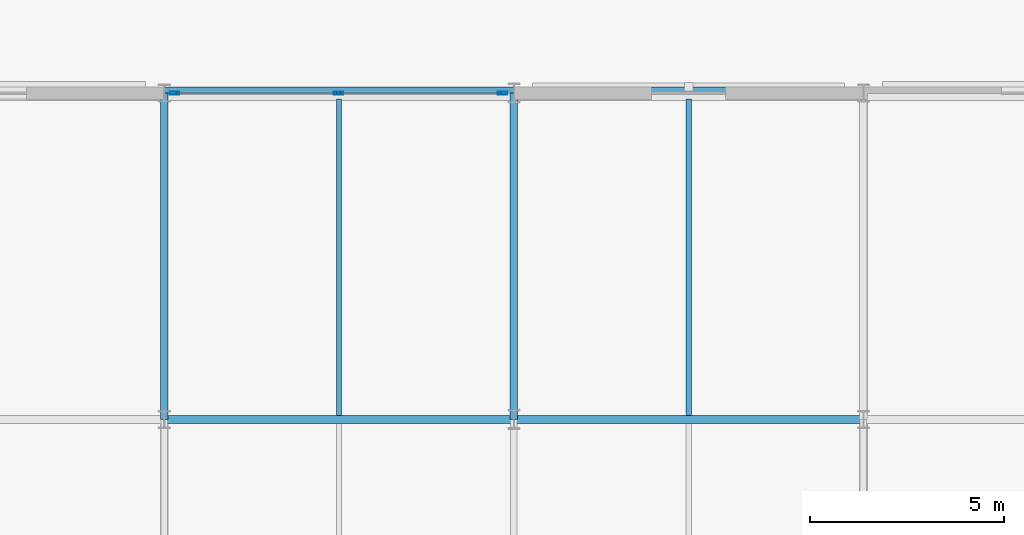
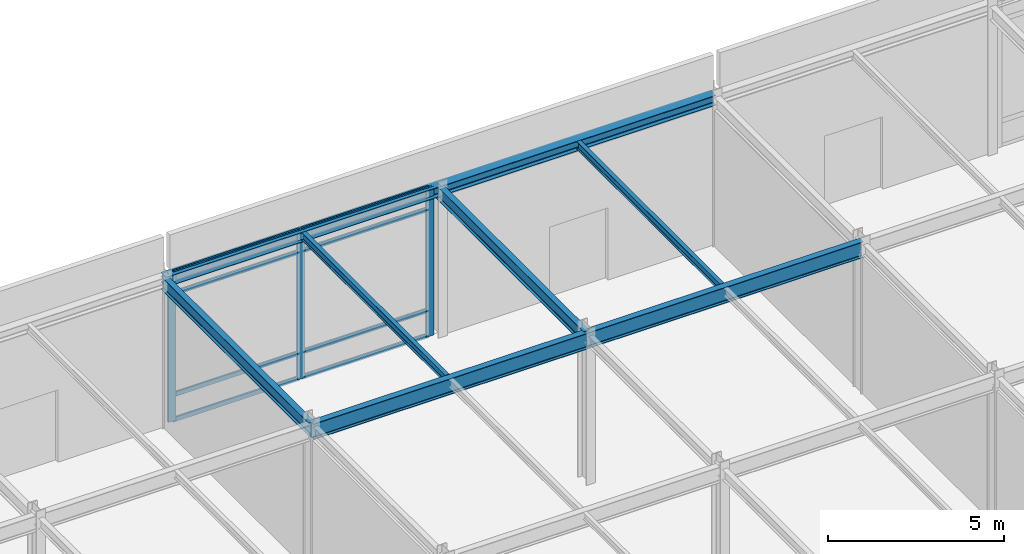
# One storey, part 53 of 89: 11 members, 8 beams, 1 element without a shape of its own.
"""IFC4 building model written with IfcOpenShell, lengths in metres."""

from ifc_helpers import new_model, si_unit, direction, frame, origin, origin_2d, place, context, subcontext, project, spatial, hollow_rectangle, i_section, extrude, material, layer, layer_set, material_profile, profile_set, type_object, element, aggregate, save


model = new_model("IFC4")

# Units and contexts
model_context = context("Model", 3, precision=1e-05, world=origin(), true_north=direction((0.0, 1.0)))
body_context = subcontext(model_context, "Body", "Model", "MODEL_VIEW")
ifc_project = project(units=[si_unit("LENGTHUNIT", "METRE"), si_unit("AREAUNIT", "SQUARE_METRE"), si_unit("VOLUMEUNIT", "CUBIC_METRE"), si_unit("PLANEANGLEUNIT", "RADIAN"), si_unit("MASSUNIT", "GRAM", prefix="KILO")], contexts=[model_context])

# Site, building, storey
site_placement = place(None, origin())
site = spatial("IfcSite", under=ifc_project, at=site_placement, CompositionType="ELEMENT")
building_placement = place(site_placement, origin())
building = spatial("IfcBuilding", under=site, at=building_placement, Name="Shalkamar Park Central Library", CompositionType="ELEMENT")
storey_placement = place(building_placement, origin())
storey = spatial("IfcBuildingStorey", under=building, at=storey_placement, Name="L01", CompositionType="ELEMENT", Elevation=0.0)

# Beams
ifc_material_1 = material(Name="Steel S355", Category="steel")
ifc_material_profile_1 = material_profile(ifc_material_1, i_section(OverallWidth=0.135009765625, OverallDepth=0.27001953125, WebThickness=0.006591796875, FlangeThickness=0.01025390625, FilletRadius=0.014892578125, at=origin_2d()), Name="IPE 270")
ifc_profile_set_1 = profile_set([ifc_material_profile_1], Name="Steel S355")
beam_type_1 = type_object("IfcBeamType", Name="Composite Floor Joist IPE270", PredefinedType="JOIST", material=ifc_profile_set_1)
for number, where, z_axis, x_axis, name in (
    (1, (259.5, 345.702880859375, 5.014892578125), (0.0, 1.0, 0.0), (-1.0, 0.0, 0.0), "Composite Joist 18/Q-1 (L01)"),
    (2, (268.5, 345.702880859375, 5.014892578125), (0.0, 1.0, 0.0), (-1.0, 0.0, 0.0), "Composite Joist 19/Q-1 (L01)"),
):
    element("IfcBeam", number, at=place(storey_placement, frame(where, z_axis=z_axis, x_axis=x_axis)), inside=storey, type_object=beam_type_1, Name=name, PredefinedType="JOIST", context=body_context, shape_type="SweptSolid", body=[
        extrude(i_section(OverallWidth=0.135009765625, OverallDepth=0.27001953125, WebThickness=0.006591796875, FlangeThickness=0.01025390625, FilletRadius=0.014892578125, at=origin_2d()), origin(), (0.0, 0.0, 1.0), 8.149169921875),
    ])

# Curtain wall, members
ifc_material_2 = material(Name="Thermally broken aluminium and triple low-e curtain wall", Category="aluminium")
ifc_layer = layer(ifc_material_2, 0.25)
ifc_layer_set = layer_set([ifc_layer], Name="UnitisedCurtainWall_12")
curtain_wall_type = type_object("IfcCurtainWallType", Name="Unitised Curtain Wall 12", PredefinedType="USERDEFINED", material=ifc_layer_set)
curtain_wall_placement = place(storey_placement, origin())
curtain_wall = element("IfcCurtainWall", 3, at=curtain_wall_placement, inside=storey, type_object=curtain_wall_type, Name="Unitised Curtain Wall CW-L01-013", ObjectType="UNITISED CURTAIN WALL", PredefinedType="USERDEFINED")
ifc_material_3 = material(Name="Aluminium 6060-T66", Category="aluminium")
ifc_material_profile_2 = material_profile(ifc_material_3, hollow_rectangle(XDim=0.074951171875, YDim=0.25, WallThickness=0.00390625, InnerFilletRadius=0.00390625, OuterFilletRadius=0.006103515625, at=origin_2d()), Name="ALU 75x250x4")
ifc_profile_set_2 = profile_set([ifc_material_profile_2], Name="Aluminium 6060-T66")
member_type_1 = type_object("IfcMemberType", Name="Curtain Wall Mullion ALU75x250", PredefinedType="MULLION", material=ifc_profile_set_2)
member_1_placement = place(storey_placement, frame((255.2666015625, 354.0, 0.0), z_axis=(0.0, 0.0, 1.0), x_axis=(0.0, 1.0, 0.0)))
member_1 = element("IfcMember", 4, at=member_1_placement, type_object=member_type_1, Name="CW-12 mullion 1", PredefinedType="MULLION", context=body_context, shape_type="SweptSolid", body=[
    extrude(hollow_rectangle(XDim=0.074951171875, YDim=0.25, WallThickness=0.00390625, InnerFilletRadius=0.00390625, OuterFilletRadius=0.006103515625, at=origin_2d()), origin(), (0.0, 0.0, 1.0), 5.14990234375),
])
member_2_placement = place(storey_placement, frame((259.487548828125, 354.0, 0.0), z_axis=(0.0, 0.0, 1.0), x_axis=(0.0, 1.0, 0.0)))
member_2 = element("IfcMember", 5, at=member_2_placement, type_object=member_type_1, Name="CW-12 mullion 2", PredefinedType="MULLION", context=body_context, shape_type="SweptSolid", body=[
    extrude(hollow_rectangle(XDim=0.074951171875, YDim=0.25, WallThickness=0.00390625, InnerFilletRadius=0.00390625, OuterFilletRadius=0.006103515625, at=origin_2d()), origin(), (0.0, 0.0, 1.0), 5.14990234375),
])
member_3_placement = place(storey_placement, frame((263.70849609375, 354.0, 0.0), z_axis=(0.0, 0.0, 1.0), x_axis=(0.0, 1.0, 0.0)))
member_3 = element("IfcMember", 6, at=member_3_placement, type_object=member_type_1, Name="CW-12 mullion 3", PredefinedType="MULLION", context=body_context, shape_type="SweptSolid", body=[
    extrude(hollow_rectangle(XDim=0.074951171875, YDim=0.25, WallThickness=0.00390625, InnerFilletRadius=0.00390625, OuterFilletRadius=0.006103515625, at=origin_2d()), origin(), (0.0, 0.0, 1.0), 5.14990234375),
])
ifc_material_profile_3 = material_profile(ifc_material_3, hollow_rectangle(XDim=0.06005859375, YDim=0.159912109375, WallThickness=0.00390625, InnerFilletRadius=0.00390625, OuterFilletRadius=0.006103515625, at=origin_2d()), Name="ALU 60x160x4")
ifc_profile_set_3 = profile_set([ifc_material_profile_3], Name="Aluminium 6060-T66")
member_type_2 = type_object("IfcMemberType", Name="Curtain Wall Transom ALU60x160", PredefinedType="USERDEFINED", material=ifc_profile_set_3)
member_4_placement = place(storey_placement, frame((255.303955078125, 354.0, 0.030029296875), z_axis=(1.0, 0.0, 0.0), x_axis=(0.0, 1.0, 0.0)))
member_4 = element("IfcMember", 7, at=member_4_placement, type_object=member_type_2, Name="CW-12 transom 1.1", ObjectType="TRANSOM", PredefinedType="USERDEFINED", context=body_context, shape_type="SweptSolid", body=[
    extrude(hollow_rectangle(XDim=0.06005859375, YDim=0.159912109375, WallThickness=0.00390625, InnerFilletRadius=0.00390625, OuterFilletRadius=0.006103515625, at=origin_2d()), origin(), (0.0, 0.0, 1.0), 4.14599609375),
])
member_5_placement = place(storey_placement, frame((255.303955078125, 354.0, 0.89990234375), z_axis=(1.0, 0.0, 0.0), x_axis=(0.0, 1.0, 0.0)))
member_5 = element("IfcMember", 8, at=member_5_placement, type_object=member_type_2, Name="CW-12 transom 1.2", ObjectType="TRANSOM", PredefinedType="USERDEFINED", context=body_context, shape_type="SweptSolid", body=[
    extrude(hollow_rectangle(XDim=0.06005859375, YDim=0.159912109375, WallThickness=0.00390625, InnerFilletRadius=0.00390625, OuterFilletRadius=0.006103515625, at=origin_2d()), origin(), (0.0, 0.0, 1.0), 4.14599609375),
])
member_6_placement = place(storey_placement, frame((255.303955078125, 354.0, 4.39990234375), z_axis=(1.0, 0.0, 0.0), x_axis=(0.0, 1.0, 0.0)))
member_6 = element("IfcMember", 9, at=member_6_placement, type_object=member_type_2, Name="CW-12 transom 1.3", ObjectType="TRANSOM", PredefinedType="USERDEFINED", context=body_context, shape_type="SweptSolid", body=[
    extrude(hollow_rectangle(XDim=0.06005859375, YDim=0.159912109375, WallThickness=0.00390625, InnerFilletRadius=0.00390625, OuterFilletRadius=0.006103515625, at=origin_2d()), origin(), (0.0, 0.0, 1.0), 4.14599609375),
])
member_7_placement = place(storey_placement, frame((255.303955078125, 354.0, 5.1201171875), z_axis=(1.0, 0.0, 0.0), x_axis=(0.0, 1.0, 0.0)))
member_7 = element("IfcMember", 10, at=member_7_placement, type_object=member_type_2, Name="CW-12 transom 1.4", ObjectType="TRANSOM", PredefinedType="USERDEFINED", context=body_context, shape_type="SweptSolid", body=[
    extrude(hollow_rectangle(XDim=0.06005859375, YDim=0.159912109375, WallThickness=0.00390625, InnerFilletRadius=0.00390625, OuterFilletRadius=0.006103515625, at=origin_2d()), origin(), (0.0, 0.0, 1.0), 4.14599609375),
])
member_8_placement = place(storey_placement, frame((259.52490234375, 354.0, 0.030029296875), z_axis=(1.0, 0.0, 0.0), x_axis=(0.0, 1.0, 0.0)))
member_8 = element("IfcMember", 11, at=member_8_placement, type_object=member_type_2, Name="CW-12 transom 2.1", ObjectType="TRANSOM", PredefinedType="USERDEFINED", context=body_context, shape_type="SweptSolid", body=[
    extrude(hollow_rectangle(XDim=0.06005859375, YDim=0.159912109375, WallThickness=0.00390625, InnerFilletRadius=0.00390625, OuterFilletRadius=0.006103515625, at=origin_2d()), origin(), (0.0, 0.0, 1.0), 4.14599609375),
])
member_9_placement = place(storey_placement, frame((259.52490234375, 354.0, 0.89990234375), z_axis=(1.0, 0.0, 0.0), x_axis=(0.0, 1.0, 0.0)))
member_9 = element("IfcMember", 12, at=member_9_placement, type_object=member_type_2, Name="CW-12 transom 2.2", ObjectType="TRANSOM", PredefinedType="USERDEFINED", context=body_context, shape_type="SweptSolid", body=[
    extrude(hollow_rectangle(XDim=0.06005859375, YDim=0.159912109375, WallThickness=0.00390625, InnerFilletRadius=0.00390625, OuterFilletRadius=0.006103515625, at=origin_2d()), origin(), (0.0, 0.0, 1.0), 4.14599609375),
])
member_10_placement = place(storey_placement, frame((259.52490234375, 354.0, 4.39990234375), z_axis=(1.0, 0.0, 0.0), x_axis=(0.0, 1.0, 0.0)))
member_10 = element("IfcMember", 13, at=member_10_placement, type_object=member_type_2, Name="CW-12 transom 2.3", ObjectType="TRANSOM", PredefinedType="USERDEFINED", context=body_context, shape_type="SweptSolid", body=[
    extrude(hollow_rectangle(XDim=0.06005859375, YDim=0.159912109375, WallThickness=0.00390625, InnerFilletRadius=0.00390625, OuterFilletRadius=0.006103515625, at=origin_2d()), origin(), (0.0, 0.0, 1.0), 4.14599609375),
])
member_11_placement = place(storey_placement, frame((259.52490234375, 354.0, 5.1201171875), z_axis=(1.0, 0.0, 0.0), x_axis=(0.0, 1.0, 0.0)))
member_11 = element("IfcMember", 14, at=member_11_placement, type_object=member_type_2, Name="CW-12 transom 2.4", ObjectType="TRANSOM", PredefinedType="USERDEFINED", context=body_context, shape_type="SweptSolid", body=[
    extrude(hollow_rectangle(XDim=0.06005859375, YDim=0.159912109375, WallThickness=0.00390625, InnerFilletRadius=0.00390625, OuterFilletRadius=0.006103515625, at=origin_2d()), origin(), (0.0, 0.0, 1.0), 4.14599609375),
])
aggregate(curtain_wall, [member_1, member_2, member_3, member_4, member_5, member_6, member_7, member_8, member_9, member_10, member_11])

# Beams
ifc_material_profile_4 = material_profile(ifc_material_1, i_section(OverallWidth=0.300048828125, OverallDepth=0.35009765625, WebThickness=0.010009765625, FlangeThickness=0.017578125, FilletRadius=0.027099609375, at=origin_2d()), Name="HEA 360")
ifc_profile_set_4 = profile_set([ifc_material_profile_4], Name="Steel S355")
beam_type_2 = type_object("IfcBeamType", Name="Perimeter Spandrel Beam HEA360", PredefinedType="SPANDREL", material=ifc_profile_set_4)
for number, where, z_axis, x_axis, name in (
    (15, (255.0, 354.0, 4.97509765625), (1.0, 0.0, 0.0), (0.0, 1.0, 0.0), "Beam R:18-19 (L01)"),
    (16, (264.0, 354.0, 4.97509765625), (1.0, 0.0, 0.0), (0.0, 1.0, 0.0), "Beam R:19-20 (L01)"),
):
    element("IfcBeam", number, at=place(storey_placement, frame(where, z_axis=z_axis, x_axis=x_axis)), inside=storey, type_object=beam_type_2, Name=name, PredefinedType="SPANDREL", context=body_context, shape_type="SweptSolid", body=[
        extrude(i_section(OverallWidth=0.300048828125, OverallDepth=0.35009765625, WebThickness=0.010009765625, FlangeThickness=0.017578125, FilletRadius=0.027099609375, at=origin_2d()), origin(), (0.0, 0.0, 1.0), 9.0),
    ])
ifc_material_profile_5 = material_profile(ifc_material_1, i_section(OverallWidth=0.18994140625, OverallDepth=0.449951171875, WebThickness=0.009521484375, FlangeThickness=0.0146484375, FilletRadius=0.02099609375, at=origin_2d()), Name="IPE 450")
ifc_profile_set_5 = profile_set([ifc_material_profile_5], Name="Steel S355")
beam_type_3 = type_object("IfcBeamType", Name="Primary Girder IPE450", PredefinedType="BEAM", material=ifc_profile_set_5)
for number, where, z_axis, x_axis, name in (
    (17, (255.0, 345.60009765625, 4.9150390625), (0.0, 1.0, 0.0), (-1.0, 0.0, 0.0), "Beam 18:Q-R (L01)"),
    (18, (264.0, 345.60009765625, 4.925048828125), (0.0, 1.0, 0.0), (-1.0, 0.0, 0.0), "Beam 19:Q-R (L01)"),
):
    element("IfcBeam", number, at=place(storey_placement, frame(where, z_axis=z_axis, x_axis=x_axis)), inside=storey, type_object=beam_type_3, Name=name, PredefinedType="BEAM", context=body_context, shape_type="SweptSolid", body=[
        extrude(i_section(OverallWidth=0.18994140625, OverallDepth=0.449951171875, WebThickness=0.009521484375, FlangeThickness=0.0146484375, FilletRadius=0.02099609375, at=origin_2d()), origin(), (0.0, 0.0, 1.0), 8.39990234375),
    ])
ifc_material_profile_6 = material_profile(ifc_material_1, i_section(OverallWidth=0.2099609375, OverallDepth=0.550048828125, WebThickness=0.010986328125, FlangeThickness=0.01708984375, FilletRadius=0.02392578125, at=origin_2d()), Name="IPE 550")
ifc_profile_set_6 = profile_set([ifc_material_profile_6], Name="Steel S355")
beam_type_4 = type_object("IfcBeamType", Name="Primary Girder IPE550", PredefinedType="BEAM", material=ifc_profile_set_6)
for number, where, z_axis, x_axis, name in (
    (19, (255.0, 345.60009765625, 4.864990234375), (1.0, 0.0, 0.0), (0.0, 1.0, 0.0), "Beam Q:18-19 (L01)"),
    (20, (264.0, 345.60009765625, 4.875), (1.0, 0.0, 0.0), (0.0, 1.0, 0.0), "Beam Q:19-20 (L01)"),
):
    element("IfcBeam", number, at=place(storey_placement, frame(where, z_axis=z_axis, x_axis=x_axis)), inside=storey, type_object=beam_type_4, Name=name, PredefinedType="BEAM", context=body_context, shape_type="SweptSolid", body=[
        extrude(i_section(OverallWidth=0.2099609375, OverallDepth=0.550048828125, WebThickness=0.010986328125, FlangeThickness=0.01708984375, FilletRadius=0.02392578125, at=origin_2d()), origin(), (0.0, 0.0, 1.0), 9.0),
    ])

save(model, "model.ifc")
